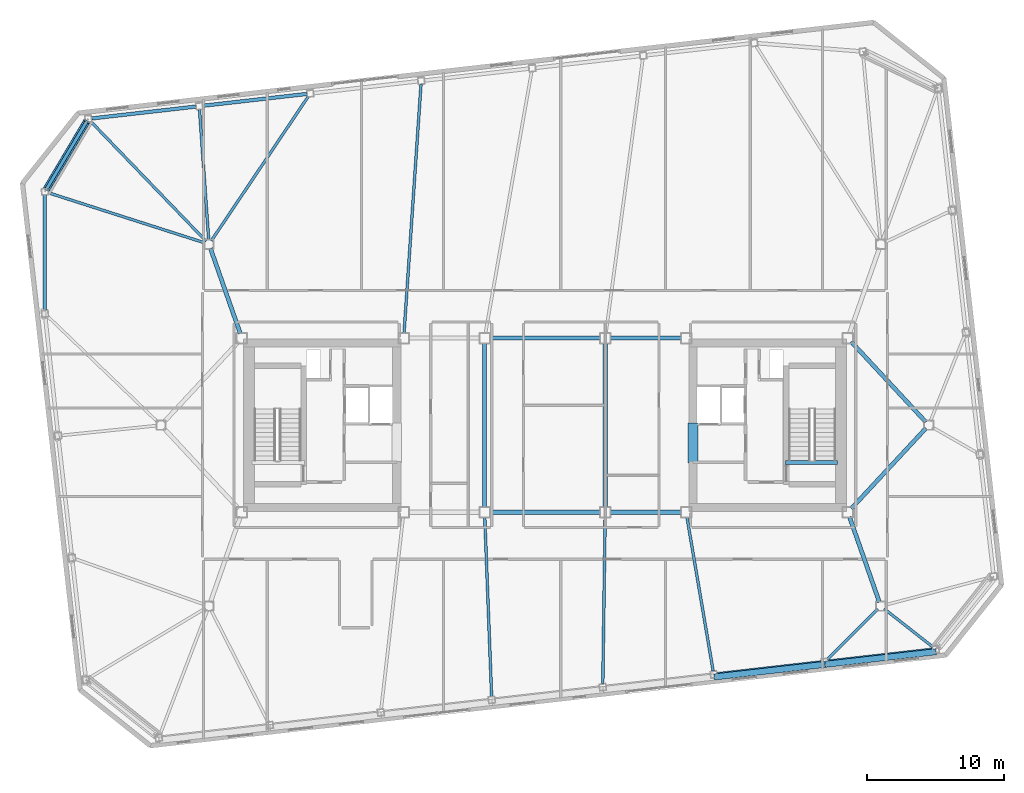
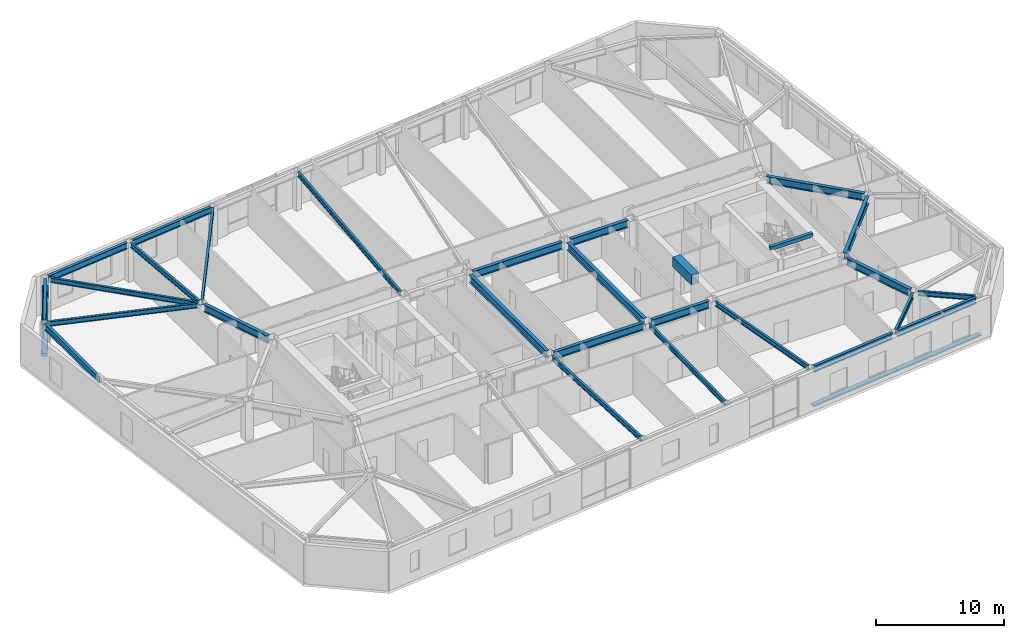
# One storey, part 7 of 19: 28 beams, 3 members.
"""IFC4 building model written with IfcOpenShell, lengths in metres."""

from ifc_helpers import new_model, si_unit, direction, frame, origin, origin_2d, place, context, subcontext, project, spatial, rectangle, hollow_circle, i_section, extrude, material, material_profile, profile_set, type_object, element, save


model = new_model("IFC4")

# Units and contexts
model_context = context("Model", 3, precision=1e-05, world=origin(), true_north=direction((0.0, 1.0)))
body_context = subcontext(model_context, "Body", "Model", "MODEL_VIEW")
ifc_project = project(units=[si_unit("LENGTHUNIT", "METRE"), si_unit("AREAUNIT", "SQUARE_METRE"), si_unit("VOLUMEUNIT", "CUBIC_METRE"), si_unit("PLANEANGLEUNIT", "RADIAN"), si_unit("MASSUNIT", "GRAM", prefix="KILO")], contexts=[model_context])

# Site, building, storey
site_placement = place(None, origin())
site = spatial("IfcSite", under=ifc_project, at=site_placement, CompositionType="ELEMENT")
building_placement = place(site_placement, origin())
building = spatial("IfcBuilding", under=site, at=building_placement, Name="Tavrogorsk Clinical Tower", CompositionType="ELEMENT")
storey_placement = place(building_placement, frame((0.0, 0.0, 259.0)))
storey = spatial("IfcBuildingStorey", under=building, at=storey_placement, Name="L60", CompositionType="ELEMENT", Elevation=259.0)

# Members
ifc_material_1 = material(Name="Anodised aluminium alloy AW-6063", Category="aluminium")
ifc_material_profile_1 = material_profile(ifc_material_1, rectangle(XDim=0.449951171875, YDim=0.1201171875, at=origin_2d()), Name="ALU-SUNSHADE-450x120")
ifc_profile_set_1 = profile_set([ifc_material_profile_1], Name="Anodised aluminium alloy AW-6063")
member_type_1 = type_object("IfcMemberType", Name="ChicagoSunshade_450x120", PredefinedType="USERDEFINED", material=ifc_profile_set_1)
for number, where, z_axis, x_axis, name in (
    (1, (12.336669921875, -18.369140625, 0.179931640625), (0.99356960656, 0.11322295227, 0.0), (-0.11322295227, 0.99356960656, 0.0), "L60 South Aluminium Sunshade S6"),
    (2, (20.432861328125, -17.446533203125, 0.179931640625), (0.9935729766, 0.113193375116, 0.0), (-0.113193375116, 0.9935729766, 0.0), "L60 South Aluminium Sunshade S7"),
):
    element("IfcMember", number, at=place(storey_placement, frame(where, z_axis=z_axis, x_axis=x_axis)), inside=storey, type_object=member_type_1, Name=name, ObjectType="SUNSHADE", PredefinedType="USERDEFINED", context=body_context, shape_type="SweptSolid", body=[
        extrude(rectangle(XDim=0.449951171875, YDim=0.1201171875, at=origin_2d()), origin(), (0.0, 0.0, 1.0), 8.148681640625),
    ])

# Beam
ifc_material_2 = material(Name="Concrete B80", Category="concrete")
ifc_material_profile_2 = material_profile(ifc_material_2, rectangle(XDim=0.699951171875, YDim=0.949951171875, at=origin_2d()), Name="RC-CB-700x950")
ifc_profile_set_2 = profile_set([ifc_material_profile_2], Name="Concrete B80")
beam_type_1 = type_object("IfcBeamType", Name="CouplingBeam_RC700x950", PredefinedType="LINTEL", material=ifc_profile_set_2)
beam_1_placement = place(storey_placement, frame((10.800048828125, -2.75, 3.264892578125), z_axis=(0.0, 1.0, 0.0), x_axis=(-1.0, 0.0, 0.0)))
element("IfcBeam", 3, at=beam_1_placement, inside=storey, type_object=beam_type_1, Name="L60 Core East Coupling Beam", PredefinedType="LINTEL", context=body_context, shape_type="SweptSolid", body=[
    extrude(rectangle(XDim=0.699951171875, YDim=0.949951171875, at=origin_2d()), origin(), (0.0, 0.0, 1.0), 2.89990234375),
])

# Member
ifc_material_3 = material(Name="Structural steel S440", Category="steel")
ifc_material_profile_3 = material_profile(ifc_material_3, hollow_circle(Radius=0.25390625, WallThickness=0.02001953125, at=origin_2d()), Name="CHS-508x20")
ifc_profile_set_3 = profile_set([ifc_material_profile_3], Name="Structural steel S440")
member_type_2 = type_object("IfcMemberType", Name="ExoBrace_CHS508", PredefinedType="BRACE", material=ifc_profile_set_3)
member_placement = place(storey_placement, frame((-36.349853515625, 17.23486328125, 0.40625), z_axis=(0.466115044739, 0.783286774864, 0.411337566228), x_axis=(-0.859354157364, 0.511380907173, 0.0)))
element("IfcMember", 4, at=member_placement, inside=storey, type_object=member_type_2, Name="L60 Corner Exoskeleton Brace N8-W1", PredefinedType="BRACE", context=body_context, shape_type="SweptSolid", body=[
    extrude(hollow_circle(Radius=0.25390625, WallThickness=0.02001953125, at=origin_2d()), origin(), (0.0, 0.0, 1.0), 6.266357421875),
])

# Beams
ifc_material_4 = material(Name="Structural steel S355", Category="steel")
ifc_material_profile_4 = material_profile(ifc_material_4, i_section(OverallWidth=0.199951171875, OverallDepth=0.449951171875, WebThickness=0.011474609375, FlangeThickness=0.01806640625, at=origin_2d()), Name="B-450x200x11.5x18")
ifc_profile_set_4 = profile_set([ifc_material_profile_4], Name="Structural steel S355")
beam_type_2 = type_object("IfcBeamType", Name="FloorBeam_B450", PredefinedType="BEAM", material=ifc_profile_set_4)
beam_2_placement = place(storey_placement, frame((-4.38623046875, -6.709716796875, 3.514892578125), z_axis=(0.038253158264, -0.999268080088, 0.0), x_axis=(0.999268080088, 0.038253158264, 0.0)))
element("IfcBeam", 5, at=beam_2_placement, inside=storey, type_object=beam_type_2, Name="L60 Radial Floor Beam S4", PredefinedType="BEAM", context=body_context, shape_type="SweptSolid", body=[
    extrude(i_section(OverallWidth=0.199951171875, OverallDepth=0.449951171875, WebThickness=0.011474609375, FlangeThickness=0.01806640625, at=origin_2d()), origin(), (0.0, 0.0, 1.0), 13.0771484375),
])
beam_3_placement = place(storey_placement, frame((4.39501953125, -6.7099609375, 3.514892578125), z_axis=(-0.014110566079, -0.999900441006, 0.0), x_axis=(0.999900441006, -0.014110566079, 0.0)))
element("IfcBeam", 6, at=beam_3_placement, inside=storey, type_object=beam_type_2, Name="L60 Radial Floor Beam S5", PredefinedType="BEAM", context=body_context, shape_type="SweptSolid", body=[
    extrude(i_section(OverallWidth=0.199951171875, OverallDepth=0.449951171875, WebThickness=0.011474609375, FlangeThickness=0.01806640625, at=origin_2d()), origin(), (0.0, 0.0, 1.0), 12.14599609375),
])
beam_4_placement = place(storey_placement, frame((10.3603515625, -6.704833984375, 3.514892578125), z_axis=(0.167876447446, -0.98580804338, 0.0), x_axis=(0.98580804338, 0.167876447446, 0.0)))
element("IfcBeam", 7, at=beam_4_placement, inside=storey, type_object=beam_type_2, Name="L60 Radial Floor Beam S6", PredefinedType="BEAM", context=body_context, shape_type="SweptSolid", body=[
    extrude(i_section(OverallWidth=0.199951171875, OverallDepth=0.449951171875, WebThickness=0.011474609375, FlangeThickness=0.01806640625, at=origin_2d()), origin(), (0.0, 0.0, 1.0), 11.392822265625),
])
beam_5_placement = place(storey_placement, frame((24.2802734375, -13.418701171875, 3.514892578125), z_axis=(-0.708842234901, -0.705367057652, 0.0), x_axis=(0.705367057652, -0.708842234901, 0.0)))
element("IfcBeam", 8, at=beam_5_placement, inside=storey, type_object=beam_type_2, Name="L60 Radial Floor Beam S7", PredefinedType="BEAM", context=body_context, shape_type="SweptSolid", body=[
    extrude(i_section(OverallWidth=0.199951171875, OverallDepth=0.449951171875, WebThickness=0.011474609375, FlangeThickness=0.01806640625, at=origin_2d()), origin(), (0.0, 0.0, 1.0), 5.19873046875),
])
beam_6_placement = place(storey_placement, frame((24.743896484375, -13.391357421875, 3.514892578125), z_axis=(0.786731711527, -0.617295078611, 0.0), x_axis=(0.617295078611, 0.786731711527, 0.0)))
element("IfcBeam", 9, at=beam_6_placement, inside=storey, type_object=beam_type_2, Name="L60 Radial Floor Beam S8", PredefinedType="BEAM", context=body_context, shape_type="SweptSolid", body=[
    extrude(i_section(OverallWidth=0.199951171875, OverallDepth=0.449951171875, WebThickness=0.011474609375, FlangeThickness=0.01806640625, at=origin_2d()), origin(), (0.0, 0.0, 1.0), 4.52734375),
])
beam_7_placement = place(storey_placement, frame((-10.275390625, 6.709228515625, 3.514892578125), z_axis=(0.068054861188, 0.9976815804, 0.0), x_axis=(-0.9976815804, 0.068054861188, 0.0)))
element("IfcBeam", 10, at=beam_7_placement, inside=storey, type_object=beam_type_2, Name="L60 Radial Floor Beam N5", PredefinedType="BEAM", context=body_context, shape_type="SweptSolid", body=[
    extrude(i_section(OverallWidth=0.199951171875, OverallDepth=0.449951171875, WebThickness=0.011474609375, FlangeThickness=0.01806640625, at=origin_2d()), origin(), (0.0, 0.0, 1.0), 18.188232421875),
])
beam_8_placement = place(storey_placement, frame((-24.3271484375, 13.457275390625, 3.514892578125), z_axis=(0.557666552953, 0.830065067159, 0.0), x_axis=(-0.830065067159, 0.557666552953, 0.0)))
element("IfcBeam", 11, at=beam_8_placement, inside=storey, type_object=beam_type_2, Name="L60 Radial Floor Beam N6", PredefinedType="BEAM", context=body_context, shape_type="SweptSolid", body=[
    extrude(i_section(OverallWidth=0.199951171875, OverallDepth=0.449951171875, WebThickness=0.011474609375, FlangeThickness=0.01806640625, at=origin_2d()), origin(), (0.0, 0.0, 1.0), 12.67236328125),
])
beam_9_placement = place(storey_placement, frame((-24.52197265625, 13.50927734375, 3.514892578125), z_axis=(-0.070563956086, 0.997507257167, 0.0), x_axis=(-0.997507257167, -0.070563956086, 0.0)))
element("IfcBeam", 12, at=beam_9_placement, inside=storey, type_object=beam_type_2, Name="L60 Radial Floor Beam N7", PredefinedType="BEAM", context=body_context, shape_type="SweptSolid", body=[
    extrude(i_section(OverallWidth=0.199951171875, OverallDepth=0.449951171875, WebThickness=0.011474609375, FlangeThickness=0.01806640625, at=origin_2d()), origin(), (0.0, 0.0, 1.0), 9.52490234375),
])
beam_10_placement = place(storey_placement, frame((-24.715087890625, 13.42333984375, 3.514892578125), z_axis=(-0.69371826835, 0.720246460704, 0.0), x_axis=(-0.720246460704, -0.69371826835, 0.0)))
element("IfcBeam", 13, at=beam_10_placement, inside=storey, type_object=beam_type_2, Name="L60 Radial Floor Beam N8", PredefinedType="BEAM", context=body_context, shape_type="SweptSolid", body=[
    extrude(i_section(OverallWidth=0.199951171875, OverallDepth=0.449951171875, WebThickness=0.011474609375, FlangeThickness=0.01806640625, at=origin_2d()), origin(), (0.0, 0.0, 1.0), 12.129638671875),
])
beam_11_placement = place(storey_placement, frame((-24.795166015625, 13.29443359375, 3.514892578125), z_axis=(-0.952367912824, 0.304951403709, 0.0), x_axis=(-0.304951403709, -0.952367912824, 0.0)))
element("IfcBeam", 14, at=beam_11_placement, inside=storey, type_object=beam_type_2, Name="L60 Radial Floor Beam W1", PredefinedType="BEAM", context=body_context, shape_type="SweptSolid", body=[
    extrude(i_section(OverallWidth=0.199951171875, OverallDepth=0.449951171875, WebThickness=0.011474609375, FlangeThickness=0.01806640625, at=origin_2d()), origin(), (0.0, 0.0, 1.0), 12.000732421875),
])
ifc_material_5 = material(Name="Structural steel S390", Category="steel")
ifc_material_profile_5 = material_profile(ifc_material_5, i_section(OverallWidth=0.300048828125, OverallDepth=0.699951171875, WebThickness=0.01708984375, FlangeThickness=0.028076171875, at=origin_2d()), Name="B-700x300x17x28")
ifc_profile_set_5 = profile_set([ifc_material_profile_5], Name="Structural steel S390")
beam_type_3 = type_object("IfcBeamType", Name="PrimaryGirder_B700", PredefinedType="USERDEFINED", material=ifc_profile_set_5)
for number, where, z_axis, x_axis, name in (
    (15, (-4.0400390625, -6.35009765625, 3.389892578125), (1.0, 0.0, 0.0), (0.0, 1.0, 0.0), "L60 Primary Spine Girder MG-03"),
    (16, (-4.0400390625, 6.35009765625, 3.389892578125), (1.0, 0.0, 0.0), (0.0, 1.0, 0.0), "L60 Primary Spine Girder MG-04"),
):
    element("IfcBeam", number, at=place(storey_placement, frame(where, z_axis=z_axis, x_axis=x_axis)), inside=storey, type_object=beam_type_3, Name=name, ObjectType="GIRDER", PredefinedType="USERDEFINED", context=body_context, shape_type="SweptSolid", body=[
        extrude(i_section(OverallWidth=0.300048828125, OverallDepth=0.699951171875, WebThickness=0.01708984375, FlangeThickness=0.028076171875, at=origin_2d()), origin(), (0.0, 0.0, 1.0), 8.080078125),
    ])
for number, where, z_axis, x_axis, name in (
    (17, (4.760009765625, -6.35009765625, 3.389892578125), (1.0, 0.0, 0.0), (0.0, 1.0, 0.0), "L60 Primary Spine Girder MG-05"),
    (18, (4.760009765625, 6.35009765625, 3.389892578125), (1.0, 0.0, 0.0), (0.0, 1.0, 0.0), "L60 Primary Spine Girder MG-06"),
):
    element("IfcBeam", number, at=place(storey_placement, frame(where, z_axis=z_axis, x_axis=x_axis)), inside=storey, type_object=beam_type_3, Name=name, ObjectType="GIRDER", PredefinedType="USERDEFINED", context=body_context, shape_type="SweptSolid", body=[
        extrude(i_section(OverallWidth=0.300048828125, OverallDepth=0.699951171875, WebThickness=0.01708984375, FlangeThickness=0.028076171875, at=origin_2d()), origin(), (0.0, 0.0, 1.0), 5.179931640625),
    ])
for number, where, z_axis, x_axis, name in (
    (19, (-4.39990234375, -5.989990234375, 3.389892578125), (0.0, 1.0, 0.0), (-1.0, 0.0, 0.0), "L60 Primary Spine Girder MG-07"),
    (20, (4.39990234375, -5.989990234375, 3.389892578125), (0.0, 1.0, 0.0), (-1.0, 0.0, 0.0), "L60 Primary Spine Girder MG-08"),
):
    element("IfcBeam", number, at=place(storey_placement, frame(where, z_axis=z_axis, x_axis=x_axis)), inside=storey, type_object=beam_type_3, Name=name, ObjectType="GIRDER", PredefinedType="USERDEFINED", context=body_context, shape_type="SweptSolid", body=[
        extrude(i_section(OverallWidth=0.300048828125, OverallDepth=0.699951171875, WebThickness=0.01708984375, FlangeThickness=0.028076171875, at=origin_2d()), origin(), (0.0, 0.0, 1.0), 11.97998046875),
    ])
for number, where, z_axis, x_axis, name in (
    (21, (24.3974609375, -12.907470703125, 3.389892578125), (-0.330654121425, 0.943752007672, 0.0), (-0.943752007672, -0.330654121425, 0.0), "L60 Spine Link Girder OPG-2"),
    (22, (-24.3974609375, 12.907470703125, 3.389892578125), (0.330654121425, -0.943752007672, 0.0), (0.943752007672, 0.330654121425, 0.0), "L60 Spine Link Girder OPG-3"),
):
    element("IfcBeam", number, at=place(storey_placement, frame(where, z_axis=z_axis, x_axis=x_axis)), inside=storey, type_object=beam_type_3, Name=name, ObjectType="GIRDER", PredefinedType="USERDEFINED", context=body_context, shape_type="SweptSolid", body=[
        extrude(i_section(OverallWidth=0.300048828125, OverallDepth=0.699951171875, WebThickness=0.01708984375, FlangeThickness=0.028076171875, at=origin_2d()), origin(), (0.0, 0.0, 1.0), 6.58837890625),
    ])
for number, where, z_axis, x_axis, name in (
    (23, (27.7890625, -0.22705078125, 3.389892578125), (-0.680684060959, -0.732577101168, 0.0), (0.732577101168, -0.680684060959, 0.0), "L60 Spine Link Girder OPG-7"),
    (24, (27.7890625, 0.22705078125, 3.389892578125), (-0.680684060959, 0.732577101168, 0.0), (-0.732577101168, -0.680684060959, 0.0), "L60 Spine Link Girder OPG-8"),
):
    element("IfcBeam", number, at=place(storey_placement, frame(where, z_axis=z_axis, x_axis=x_axis)), inside=storey, type_object=beam_type_3, Name=name, ObjectType="GIRDER", PredefinedType="USERDEFINED", context=body_context, shape_type="SweptSolid", body=[
        extrude(i_section(OverallWidth=0.300048828125, OverallDepth=0.699951171875, WebThickness=0.01708984375, FlangeThickness=0.028076171875, at=origin_2d()), origin(), (0.0, 0.0, 1.0), 7.998046875),
    ])
ifc_material_6 = material(Name="Structural steel S390", Category="steel")
ifc_material_profile_6 = material_profile(ifc_material_6, i_section(OverallWidth=0.260009765625, OverallDepth=0.60009765625, WebThickness=0.014892578125, FlangeThickness=0.02392578125, at=origin_2d()), Name="B-600x260x15x24")
ifc_profile_set_6 = profile_set([ifc_material_profile_6], Name="Structural steel S390")
beam_type_4 = type_object("IfcBeamType", Name="SpandrelBeam_B600", PredefinedType="SPANDREL", material=ifc_profile_set_6)
beam_12_placement = place(storey_placement, frame((12.57275390625, -18.1611328125, 3.43994140625), z_axis=(0.993571689921, 0.113204668576, 0.0), x_axis=(-0.113204668576, 0.993571689921, 0.0)))
element("IfcBeam", 25, at=beam_12_placement, inside=storey, type_object=beam_type_4, Name="L60 Perimeter Spandrel S6-S7", PredefinedType="SPANDREL", context=body_context, shape_type="SweptSolid", body=[
    extrude(i_section(OverallWidth=0.260009765625, OverallDepth=0.60009765625, WebThickness=0.014892578125, FlangeThickness=0.02392578125, at=origin_2d()), origin(), (0.0, 0.0, 1.0), 7.63232421875),
])
for number, where, z_axis, x_axis, name in (
    (26, (20.668701171875, -17.238525390625, 3.43994140625), (0.993572099834, 0.113201070804, 0.0), (-0.113201070804, 0.993572099834, 0.0), "L60 Perimeter Spandrel S7-S8"),
    (27, (-17.37255859375, 24.1611328125, 3.43994140625), (-0.993572099834, -0.113201070804, 0.0), (0.113201070804, -0.993572099834, 0.0), "L60 Perimeter Spandrel N6-N7"),
    (28, (-25.46875, 23.238525390625, 3.43994140625), (-0.993572099834, -0.113201070804, 0.0), (0.113201070804, -0.993572099834, 0.0), "L60 Perimeter Spandrel N7-N8"),
):
    element("IfcBeam", number, at=place(storey_placement, frame(where, z_axis=z_axis, x_axis=x_axis)), inside=storey, type_object=beam_type_4, Name=name, PredefinedType="SPANDREL", context=body_context, shape_type="SweptSolid", body=[
        extrude(i_section(OverallWidth=0.260009765625, OverallDepth=0.60009765625, WebThickness=0.014892578125, FlangeThickness=0.02392578125, at=origin_2d()), origin(), (0.0, 0.0, 1.0), 7.632568359375),
    ])
beam_13_placement = place(storey_placement, frame((-33.4404296875, 22.123779296875, 3.43994140625), z_axis=(-0.51140659222, -0.859338872293, 0.0), x_axis=(0.859338872293, -0.51140659222, 0.0)))
element("IfcBeam", 29, at=beam_13_placement, inside=storey, type_object=beam_type_4, Name="L60 Perimeter Spandrel N8-W1", PredefinedType="SPANDREL", context=body_context, shape_type="SweptSolid", body=[
    extrude(i_section(OverallWidth=0.260009765625, OverallDepth=0.60009765625, WebThickness=0.014892578125, FlangeThickness=0.02392578125, at=origin_2d()), origin(), (0.0, 0.0, 1.0), 5.666259765625),
])
beam_14_placement = place(storey_placement, frame((-36.469970703125, 16.77490234375, 3.43994140625), z_axis=(0.0, -1.0, 0.0), x_axis=(1.0, 0.0, 0.0)))
element("IfcBeam", 30, at=beam_14_placement, inside=storey, type_object=beam_type_4, Name="L60 Perimeter Spandrel W1-W2", PredefinedType="SPANDREL", context=body_context, shape_type="SweptSolid", body=[
    extrude(i_section(OverallWidth=0.260009765625, OverallDepth=0.60009765625, WebThickness=0.014892578125, FlangeThickness=0.02392578125, at=origin_2d()), origin(), (0.0, 0.0, 1.0), 8.386474609375),
])
ifc_material_7 = material(Name="Concrete B60", Category="concrete")
ifc_material_profile_7 = material_profile(ifc_material_7, rectangle(XDim=0.300048828125, YDim=0.35009765625, at=origin_2d()), Name="RC-SHB-300x350")
ifc_profile_set_7 = profile_set([ifc_material_profile_7], Name="Concrete B60")
beam_type_5 = type_object("IfcBeamType", Name="StairHeaderBeam_RC300x350", PredefinedType="BEAM", material=ifc_profile_set_7)
beam_15_placement = place(storey_placement, frame((17.550048828125, -2.719970703125, 3.824951171875), z_axis=(1.0, 0.0, 0.0), x_axis=(0.0, 1.0, 0.0)))
element("IfcBeam", 31, at=beam_15_placement, inside=storey, type_object=beam_type_5, Name="L61 ST-E Landing Header Beam", PredefinedType="BEAM", context=body_context, shape_type="SweptSolid", body=[
    extrude(rectangle(XDim=0.300048828125, YDim=0.35009765625, at=origin_2d()), origin(), (0.0, 0.0, 1.0), 3.800048828125),
])

save(model, "model.ifc")
